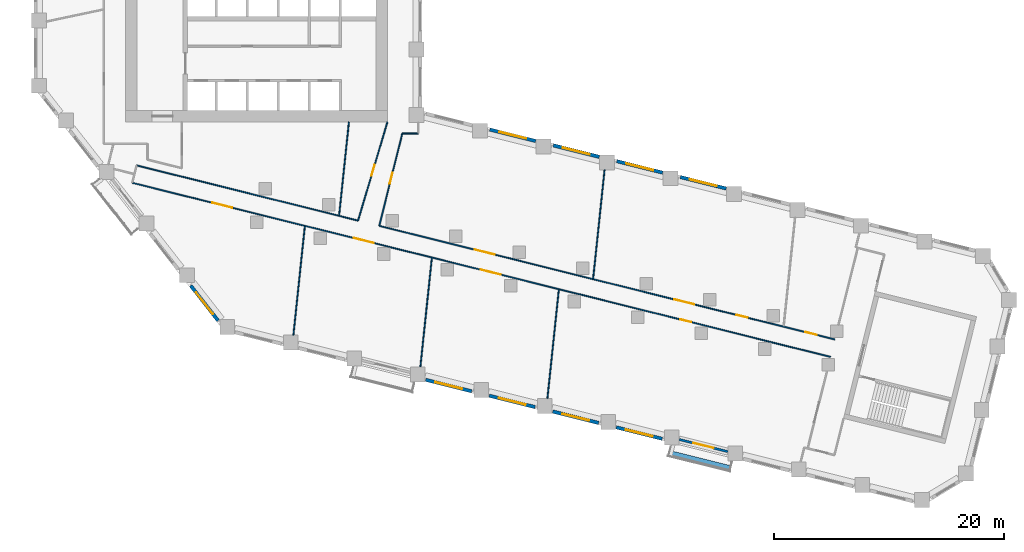
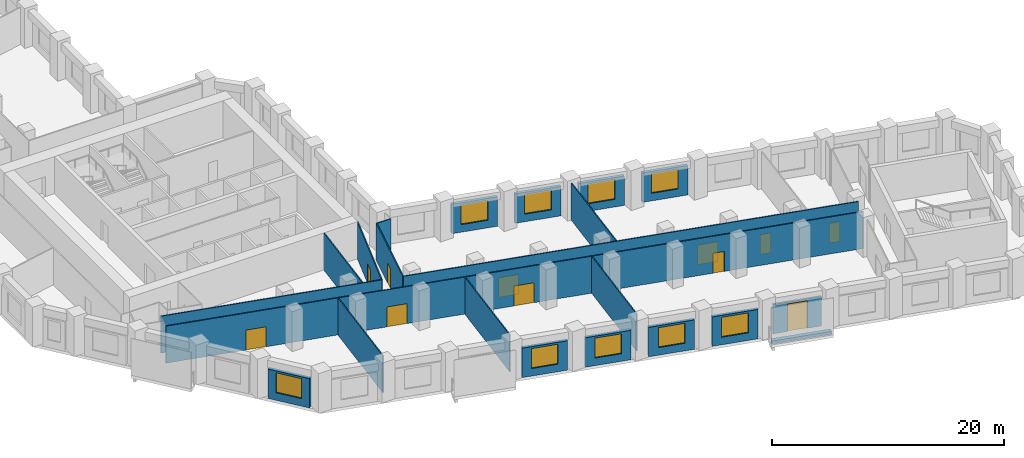
# One storey, part 3 of 11: 22 walls, 11 doors, 9 windows, 20 openings.
"""IFC4 building model written with IfcOpenShell, lengths in metres."""

from ifc_helpers import new_model, si_unit, direction, frame, frame_2d, origin, place, context, subcontext, project, spatial, rectangle, extrude, material, layer, layer_set, type_object, element, fill, save


model = new_model("IFC4")

# Units and contexts
model_context = context("Model", 3, precision=1e-05, world=origin(), true_north=direction((0.0, 1.0)))
body_context = subcontext(model_context, "Body", "Model", "MODEL_VIEW")
ifc_project = project(units=[si_unit("LENGTHUNIT", "METRE"), si_unit("AREAUNIT", "SQUARE_METRE"), si_unit("VOLUMEUNIT", "CUBIC_METRE"), si_unit("PLANEANGLEUNIT", "RADIAN"), si_unit("MASSUNIT", "GRAM", prefix="KILO")], contexts=[model_context])

# Site, building, storey
site_placement = place(None, origin())
site = spatial("IfcSite", under=ifc_project, at=site_placement, CompositionType="ELEMENT")
building_placement = place(site_placement, origin())
building = spatial("IfcBuilding", under=site, at=building_placement, Name="Meshkara Civic Tower", CompositionType="ELEMENT")
storey_placement = place(building_placement, frame((0.0, 0.0, 135.0)))
storey = spatial("IfcBuildingStorey", under=building, at=storey_placement, Name="L30", CompositionType="ELEMENT", Elevation=135.0)

# Wall, openings, doors
ifc_material_1 = material(Name="Corridor wall 100")
ifc_layer_1 = layer(ifc_material_1, 0.10009765625)
ifc_layer_set_1 = layer_set([ifc_layer_1], Name="Corridor wall 100")
wall_type_1 = type_object("IfcWallType", Name="Corridor wall 100", PredefinedType="PARTITIONING", material=ifc_layer_set_1)
wall_1_placement = place(storey_placement, frame((8.5791015625, 8.802978515625, 0.0), z_axis=(0.0, 0.0, 1.0), x_axis=(0.970298569476, -0.241910491863, 0.0)))
wall_1 = element("IfcWall", 1, at=wall_1_placement, inside=storey, type_object=wall_type_1, Name="L30-W006", PredefinedType="PARTITIONING", context=body_context, shape_type="SweptSolid", body=[
    extrude(rectangle(XDim=62.675537109375, YDim=0.10009765625, at=frame_2d((31.337890625, 0.0))), origin(), (0.0, 0.0, 1.0), 3.89990234375),
])
opening_1_placement = place(wall_1_placement, frame((49.173095703125, 0.0, 0.0)))
opening_1 = element("IfcOpeningElement", 2, at=opening_1_placement, cuts=wall_1, Name="Opening L30-D004", PredefinedType="OPENING", context=body_context, shape_type="SweptSolid", body=[
    extrude(rectangle(XDim=1.0, YDim=2.10009765625, at=frame_2d((0.5, 1.050048828125))), frame((0.0, 0.06005859375, 0.0), z_axis=(0.0, -1.0, 0.0), x_axis=(1.0, 0.0, 0.0)), (0.0, 0.0, 1.0), 0.1201171875),
])
opening_2_placement = place(wall_1_placement, frame((19.873046875, 0.0, 0.0)))
opening_2 = element("IfcOpeningElement", 3, at=opening_2_placement, cuts=wall_1, Name="Opening L30-D007", PredefinedType="OPENING", context=body_context, shape_type="SweptSolid", body=[
    extrude(rectangle(XDim=1.800048828125, YDim=2.10009765625, at=frame_2d((0.89990234375, 1.050048828125))), frame((0.0, 0.06005859375, 0.0), z_axis=(0.0, -1.0, 0.0), x_axis=(1.0, 0.0, 0.0)), (0.0, 0.0, 1.0), 0.1201171875),
])
opening_3_placement = place(wall_1_placement, frame((31.27294921875, 0.0, 0.0)))
opening_3 = element("IfcOpeningElement", 4, at=opening_3_placement, cuts=wall_1, Name="Opening L30-D009", PredefinedType="OPENING", context=body_context, shape_type="SweptSolid", body=[
    extrude(rectangle(XDim=1.800048828125, YDim=2.10009765625, at=frame_2d((0.89990234375, 1.050048828125))), frame((0.0, 0.06005859375, 0.0), z_axis=(0.0, -1.0, 0.0), x_axis=(1.0, 0.0, 0.0)), (0.0, 0.0, 1.0), 0.1201171875),
])
opening_4_placement = place(wall_1_placement, frame((7.179931640625, 0.0, 0.0)))
opening_4 = element("IfcOpeningElement", 5, at=opening_4_placement, cuts=wall_1, Name="Opening L30-D011", PredefinedType="OPENING", context=body_context, shape_type="SweptSolid", body=[
    extrude(rectangle(XDim=1.800048828125, YDim=2.10009765625, at=frame_2d((0.89990234375, 1.050048828125))), frame((0.0, 0.06005859375, 0.0), z_axis=(0.0, -1.0, 0.0), x_axis=(1.0, 0.0, 0.0)), (0.0, 0.0, 1.0), 0.1201171875),
])
ifc_material_2 = material(Name="Door 1000 x 2100")
door_type_1 = type_object("IfcDoorType", Name="Door 1000 x 2100", OperationType="SINGLE_SWING_LEFT", PredefinedType="DOOR", material=ifc_material_2)
door_1_placement = place(opening_1_placement, origin())
door_1 = element("IfcDoor", 6, at=door_1_placement, inside=storey, type_object=door_type_1, Name="L30-D004", OperationType="SINGLE_SWING_RIGHT", OverallHeight=2.10009765625, OverallWidth=1.0, PredefinedType="DOOR", context=body_context, shape_type="SweptSolid", body=[
    extrude(rectangle(XDim=1.0, YDim=2.10009765625, at=frame_2d((0.5, 1.050048828125))), frame((0.0, 0.02490234375, 0.0), z_axis=(0.0, -1.0, 0.0), x_axis=(1.0, 0.0, 0.0)), (0.0, 0.0, 1.0), 0.050048828125),
])
fill(opening_1, door_1)
ifc_material_3 = material(Name="Door pair 1800 x 2100")
door_type_2 = type_object("IfcDoorType", Name="Door pair 1800 x 2100", OperationType="SINGLE_SWING_LEFT", PredefinedType="DOOR", material=ifc_material_3)
door_2_placement = place(opening_2_placement, origin())
door_2 = element("IfcDoor", 7, at=door_2_placement, inside=storey, type_object=door_type_2, Name="L30-D007", OperationType="DOUBLE_DOOR_SINGLE_SWING", OverallHeight=2.10009765625, OverallWidth=1.800048828125, PredefinedType="DOOR", context=body_context, shape_type="SweptSolid", body=[
    extrude(rectangle(XDim=1.800048828125, YDim=2.10009765625, at=frame_2d((0.89990234375, 1.050048828125))), frame((0.0, 0.02490234375, 0.0), z_axis=(0.0, -1.0, 0.0), x_axis=(1.0, 0.0, 0.0)), (0.0, 0.0, 1.0), 0.050048828125),
])
fill(opening_2, door_2)
door_3_placement = place(opening_3_placement, origin())
door_3 = element("IfcDoor", 8, at=door_3_placement, inside=storey, type_object=door_type_2, Name="L30-D009", OperationType="DOUBLE_DOOR_SINGLE_SWING", OverallHeight=2.10009765625, OverallWidth=1.800048828125, PredefinedType="DOOR", context=body_context, shape_type="SweptSolid", body=[
    extrude(rectangle(XDim=1.800048828125, YDim=2.10009765625, at=frame_2d((0.89990234375, 1.050048828125))), frame((0.0, 0.02490234375, 0.0), z_axis=(0.0, -1.0, 0.0), x_axis=(1.0, 0.0, 0.0)), (0.0, 0.0, 1.0), 0.050048828125),
])
fill(opening_3, door_3)
door_4_placement = place(opening_4_placement, origin())
door_4 = element("IfcDoor", 9, at=door_4_placement, inside=storey, type_object=door_type_2, Name="L30-D011", OperationType="DOUBLE_DOOR_SINGLE_SWING", OverallHeight=2.10009765625, OverallWidth=1.800048828125, PredefinedType="DOOR", context=body_context, shape_type="SweptSolid", body=[
    extrude(rectangle(XDim=1.800048828125, YDim=2.10009765625, at=frame_2d((0.89990234375, 1.050048828125))), frame((0.0, 0.02490234375, 0.0), z_axis=(0.0, -1.0, 0.0), x_axis=(1.0, 0.0, 0.0)), (0.0, 0.0, 1.0), 0.050048828125),
])
fill(opening_4, door_4)

# Wall
wall_2_placement = place(storey_placement, frame((8.9580078125, 10.322998046875, 0.0), z_axis=(0.0, 0.0, 1.0), x_axis=(0.970298340477, -0.241911410372, 0.0)))
element("IfcWall", 10, at=wall_2_placement, inside=storey, type_object=wall_type_1, Name="L30-W007", PredefinedType="PARTITIONING", context=body_context, shape_type="SweptSolid", body=[
    extrude(rectangle(XDim=19.879638671875, YDim=0.10009765625, at=frame_2d((9.93994140625, 0.0))), origin(), (0.0, 0.0, 1.0), 3.89990234375),
])

# Wall, openings, doors
wall_3_placement = place(storey_placement, frame((30.091064453125, 5.053955078125, 0.0), z_axis=(0.0, 0.0, 1.0), x_axis=(0.970297171036, -0.24191610091, 0.0)))
wall_3 = element("IfcWall", 11, at=wall_3_placement, inside=storey, type_object=wall_type_1, Name="L30-W020", PredefinedType="PARTITIONING", context=body_context, shape_type="SweptSolid", body=[
    extrude(rectangle(XDim=40.89453125, YDim=0.10009765625, at=frame_2d((20.447265625, 0.0))), origin(), (0.0, 0.0, 1.0), 3.89990234375),
])
opening_5_placement = place(wall_3_placement, frame((26.462890625, 0.0, 0.0)))
opening_5 = element("IfcOpeningElement", 12, at=opening_5_placement, cuts=wall_3, Name="Opening L30-D003", PredefinedType="OPENING", context=body_context, shape_type="SweptSolid", body=[
    extrude(rectangle(XDim=1.800048828125, YDim=2.10009765625, at=frame_2d((0.89990234375, 1.050048828125))), frame((0.0, 0.06005859375, 0.0), z_axis=(0.0, -1.0, 0.0), x_axis=(1.0, 0.0, 0.0)), (0.0, 0.0, 1.0), 0.1201171875),
])
opening_6_placement = place(wall_3_placement, frame((32.06298828125, 0.0, 0.0)))
opening_6 = element("IfcOpeningElement", 13, at=opening_6_placement, cuts=wall_3, Name="Opening L30-D005", PredefinedType="OPENING", context=body_context, shape_type="SweptSolid", body=[
    extrude(rectangle(XDim=1.0, YDim=2.10009765625, at=frame_2d((0.5, 1.050048828125))), frame((0.0, 0.06005859375, 0.0), z_axis=(0.0, -1.0, 0.0), x_axis=(1.0, 0.0, 0.0)), (0.0, 0.0, 1.0), 0.1201171875),
])
opening_7_placement = place(wall_3_placement, frame((38.262939453125, 0.0, 0.0)))
opening_7 = element("IfcOpeningElement", 14, at=opening_7_placement, cuts=wall_3, Name="Opening L30-D006", PredefinedType="OPENING", context=body_context, shape_type="SweptSolid", body=[
    extrude(rectangle(XDim=1.0, YDim=2.10009765625, at=frame_2d((0.5, 1.050048828125))), frame((0.0, 0.06005859375, 0.0), z_axis=(0.0, -1.0, 0.0), x_axis=(1.0, 0.0, 0.0)), (0.0, 0.0, 1.0), 0.1201171875),
])
opening_8_placement = place(wall_3_placement, frame((8.580078125, 0.0, 0.0)))
opening_8 = element("IfcOpeningElement", 15, at=opening_8_placement, cuts=wall_3, Name="Opening L30-D008", PredefinedType="OPENING", context=body_context, shape_type="SweptSolid", body=[
    extrude(rectangle(XDim=1.800048828125, YDim=2.10009765625, at=frame_2d((0.89990234375, 1.050048828125))), frame((0.0, 0.06005859375, 0.0), z_axis=(0.0, -1.0, 0.0), x_axis=(1.0, 0.0, 0.0)), (0.0, 0.0, 1.0), 0.1201171875),
])
door_5_placement = place(opening_6_placement, origin())
door_5 = element("IfcDoor", 16, at=door_5_placement, inside=storey, type_object=door_type_1, Name="L30-D005", OperationType="SINGLE_SWING_RIGHT", OverallHeight=2.10009765625, OverallWidth=1.0, PredefinedType="DOOR", context=body_context, shape_type="SweptSolid", body=[
    extrude(rectangle(XDim=1.0, YDim=2.10009765625, at=frame_2d((0.5, 1.050048828125))), frame((0.0, 0.02490234375, 0.0), z_axis=(0.0, -1.0, 0.0), x_axis=(1.0, 0.0, 0.0)), (0.0, 0.0, 1.0), 0.050048828125),
])
fill(opening_6, door_5)
door_6_placement = place(opening_7_placement, origin())
door_6 = element("IfcDoor", 17, at=door_6_placement, inside=storey, type_object=door_type_1, Name="L30-D006", OperationType="SINGLE_SWING_RIGHT", OverallHeight=2.10009765625, OverallWidth=1.0, PredefinedType="DOOR", context=body_context, shape_type="SweptSolid", body=[
    extrude(rectangle(XDim=1.0, YDim=2.10009765625, at=frame_2d((0.5, 1.050048828125))), frame((0.0, 0.02490234375, 0.0), z_axis=(0.0, -1.0, 0.0), x_axis=(1.0, 0.0, 0.0)), (0.0, 0.0, 1.0), 0.050048828125),
])
fill(opening_7, door_6)
door_7_placement = place(opening_5_placement, origin())
door_7 = element("IfcDoor", 18, at=door_7_placement, inside=storey, type_object=door_type_2, Name="L30-D003", OperationType="DOUBLE_DOOR_SINGLE_SWING", OverallHeight=2.10009765625, OverallWidth=1.800048828125, PredefinedType="DOOR", context=body_context, shape_type="SweptSolid", body=[
    extrude(rectangle(XDim=1.800048828125, YDim=2.10009765625, at=frame_2d((0.89990234375, 1.050048828125))), frame((0.0, 0.02490234375, 0.0), z_axis=(0.0, -1.0, 0.0), x_axis=(1.0, 0.0, 0.0)), (0.0, 0.0, 1.0), 0.050048828125),
])
fill(opening_5, door_7)
door_8_placement = place(opening_8_placement, origin())
door_8 = element("IfcDoor", 19, at=door_8_placement, inside=storey, type_object=door_type_2, Name="L30-D008", OperationType="DOUBLE_DOOR_SINGLE_SWING", OverallHeight=2.10009765625, OverallWidth=1.800048828125, PredefinedType="DOOR", context=body_context, shape_type="SweptSolid", body=[
    extrude(rectangle(XDim=1.800048828125, YDim=2.10009765625, at=frame_2d((0.89990234375, 1.050048828125))), frame((0.0, 0.02490234375, 0.0), z_axis=(0.0, -1.0, 0.0), x_axis=(1.0, 0.0, 0.0)), (0.0, 0.0, 1.0), 0.050048828125),
])
fill(opening_8, door_8)

# Wall, opening, door
wall_4_placement = place(storey_placement, frame((30.091064453125, 5.053955078125, 0.0), z_axis=(0.0, 0.0, 1.0), x_axis=(0.241891322374, 0.970303348526, 0.0)))
wall_4 = element("IfcWall", 20, at=wall_4_placement, inside=storey, type_object=wall_type_1, Name="L30-W021", PredefinedType="PARTITIONING", context=body_context, shape_type="SweptSolid", body=[
    extrude(rectangle(XDim=8.29248046875, YDim=0.10009765625, at=frame_2d((4.146240234375, 0.0))), origin(), (0.0, 0.0, 1.0), 3.89990234375),
])
opening_9_placement = place(wall_4_placement, frame((3.780029296875, 0.0, 0.0)))
opening_9 = element("IfcOpeningElement", 21, at=opening_9_placement, cuts=wall_4, Name="Opening L30-D013", PredefinedType="OPENING", context=body_context, shape_type="SweptSolid", body=[
    extrude(rectangle(XDim=1.0, YDim=2.10009765625, at=frame_2d((0.5, 1.050048828125))), frame((0.0, 0.06005859375, 0.0), z_axis=(0.0, -1.0, 0.0), x_axis=(1.0, 0.0, 0.0)), (0.0, 0.0, 1.0), 0.1201171875),
])
door_9_placement = place(opening_9_placement, origin())
door_9 = element("IfcDoor", 22, at=door_9_placement, inside=storey, type_object=door_type_1, Name="L30-D013", OperationType="SINGLE_SWING_LEFT", OverallHeight=2.10009765625, OverallWidth=1.0, PredefinedType="DOOR", context=body_context, shape_type="SweptSolid", body=[
    extrude(rectangle(XDim=1.0, YDim=2.10009765625, at=frame_2d((0.5, 1.050048828125))), frame((0.0, 0.02490234375, 0.0), z_axis=(0.0, -1.0, 0.0), x_axis=(1.0, 0.0, 0.0)), (0.0, 0.0, 1.0), 0.050048828125),
])
fill(opening_9, door_9)

wall_5_placement = place(storey_placement, frame((30.800048828125, 14.10009765625, 0.0), z_axis=(0.0, 0.0, 1.0), x_axis=(-0.285004107837, -0.958526295162, 0.0)))
wall_5 = element("IfcWall", 23, at=wall_5_placement, inside=storey, type_object=wall_type_1, Name="L30-W022", PredefinedType="PARTITIONING", context=body_context, shape_type="SweptSolid", body=[
    extrude(rectangle(XDim=8.957763671875, YDim=0.10009765625, at=frame_2d((4.47900390625, 0.0))), origin(), (0.0, 0.0, 1.0), 3.89990234375),
])
opening_10_placement = place(wall_5_placement, frame((3.8798828125, 0.0, 0.0)))
opening_10 = element("IfcOpeningElement", 24, at=opening_10_placement, cuts=wall_5, Name="Opening L30-D012", PredefinedType="OPENING", context=body_context, shape_type="SweptSolid", body=[
    extrude(rectangle(XDim=1.0, YDim=2.10009765625, at=frame_2d((0.5, 1.050048828125))), frame((0.0, 0.06005859375, 0.0), z_axis=(0.0, -1.0, 0.0), x_axis=(1.0, 0.0, 0.0)), (0.0, 0.0, 1.0), 0.1201171875),
])
door_10_placement = place(opening_10_placement, origin())
door_10 = element("IfcDoor", 25, at=door_10_placement, inside=storey, type_object=door_type_1, Name="L30-D012", OperationType="SINGLE_SWING_RIGHT", OverallHeight=2.10009765625, OverallWidth=1.0, PredefinedType="DOOR", context=body_context, shape_type="SweptSolid", body=[
    extrude(rectangle(XDim=1.0, YDim=2.10009765625, at=frame_2d((0.5, 1.050048828125))), frame((0.0, 0.02490234375, 0.0), z_axis=(0.0, -1.0, 0.0), x_axis=(1.0, 0.0, 0.0)), (0.0, 0.0, 1.0), 0.050048828125),
])
fill(opening_10, door_10)

# Wall
wall_6_placement = place(storey_placement, frame((32.096923828125, 13.10009765625, 0.0), z_axis=(0.0, 0.0, 1.0), x_axis=(1.0, 0.0, 0.0)))
element("IfcWall", 26, at=wall_6_placement, inside=storey, type_object=wall_type_1, Name="L30-W023", PredefinedType="PARTITIONING", context=body_context, shape_type="SweptSolid", body=[
    extrude(rectangle(XDim=1.403076171875, YDim=0.10009765625, at=frame_2d((0.70166015625, 0.0))), origin(), (0.0, 0.0, 1.0), 3.89990234375),
])

# Wall, opening, window
ifc_material_4 = material(Name="Insulated infill panel with bronze anodised aluminium cladding", Category="aluminium")
ifc_layer_2 = layer(ifc_material_4, 0.300048828125)
ifc_layer_set_2 = layer_set([ifc_layer_2], Name="EXTERNAL INFILL WALL 300")
wall_type_2 = type_object("IfcWallType", Name="EXTERNAL INFILL WALL 300", PredefinedType="SOLIDWALL", material=ifc_layer_set_2)
wall_7_placement = place(storey_placement, frame((60.31103515625, 8.305908203125, 0.0), z_axis=(0.0, 0.0, 1.0), x_axis=(-0.970267747908, 0.242034083076, 0.0)))
wall_7 = element("IfcWall", 27, at=wall_7_placement, inside=storey, type_object=wall_type_2, Name="External wall", PredefinedType="SOLIDWALL", context=body_context, shape_type="SweptSolid", body=[
    extrude(rectangle(XDim=4.12353515625, YDim=0.300048828125, at=frame_2d((2.061767578125, 0.0))), origin(), (0.0, 0.0, 1.0), 3.10009765625),
])
opening_11_placement = place(wall_7_placement, frame((0.862060546875, 0.0, 0.800048828125)))
opening_11 = element("IfcOpeningElement", 28, at=opening_11_placement, cuts=wall_7, Name="Opening W7", PredefinedType="OPENING", context=body_context, shape_type="SweptSolid", body=[
    extrude(rectangle(XDim=2.39990234375, YDim=2.10009765625, at=frame_2d((1.199951171875, 1.050048828125))), frame((0.0, 0.159912109375, 0.0), z_axis=(0.0, -1.0, 0.0), x_axis=(1.0, 0.0, 0.0)), (0.0, 0.0, 1.0), 0.320068359375),
])
ifc_material_5 = material(Name="Tinted double glazing", Category="glass")
window_type = type_object("IfcWindowType", Name="WINDOW 2400x2100", PartitioningType="DOUBLE_PANEL_VERTICAL", PredefinedType="WINDOW", material=ifc_material_5)
window_1_placement = place(opening_11_placement, origin())
window_1 = element("IfcWindow", 29, at=window_1_placement, inside=storey, type_object=window_type, Name="Window", OverallHeight=2.10009765625, OverallWidth=2.39990234375, PartitioningType="DOUBLE_PANEL_VERTICAL", PredefinedType="WINDOW", context=body_context, shape_type="SweptSolid", body=[
    extrude(rectangle(XDim=2.39990234375, YDim=2.10009765625, at=frame_2d((1.199951171875, 1.050048828125))), frame((0.0, 0.030029296875, 0.0), z_axis=(0.0, -1.0, 0.0), x_axis=(1.0, 0.0, 0.0)), (0.0, 0.0, 1.0), 0.06005859375),
])
fill(opening_11, window_1)

wall_8_placement = place(storey_placement, frame((54.781005859375, 9.68505859375, 0.0), z_axis=(0.0, 0.0, 1.0), x_axis=(-0.970281616392, 0.241978480223, 0.0)))
wall_8 = element("IfcWall", 30, at=wall_8_placement, inside=storey, type_object=wall_type_2, Name="External wall", PredefinedType="SOLIDWALL", context=body_context, shape_type="SweptSolid", body=[
    extrude(rectangle(XDim=4.12451171875, YDim=0.300048828125, at=frame_2d((2.062255859375, 0.0))), origin(), (0.0, 0.0, 1.0), 3.10009765625),
])
opening_12_placement = place(wall_8_placement, frame((0.862060546875, 0.0, 0.800048828125)))
opening_12 = element("IfcOpeningElement", 31, at=opening_12_placement, cuts=wall_8, Name="Opening W7", PredefinedType="OPENING", context=body_context, shape_type="SweptSolid", body=[
    extrude(rectangle(XDim=2.39990234375, YDim=2.10009765625, at=frame_2d((1.199951171875, 1.050048828125))), frame((0.0, 0.159912109375, 0.0), z_axis=(0.0, -1.0, 0.0), x_axis=(1.0, 0.0, 0.0)), (0.0, 0.0, 1.0), 0.320068359375),
])
window_2_placement = place(opening_12_placement, origin())
window_2 = element("IfcWindow", 32, at=window_2_placement, inside=storey, type_object=window_type, Name="Window", OverallHeight=2.10009765625, OverallWidth=2.39990234375, PartitioningType="DOUBLE_PANEL_VERTICAL", PredefinedType="WINDOW", context=body_context, shape_type="SweptSolid", body=[
    extrude(rectangle(XDim=2.39990234375, YDim=2.10009765625, at=frame_2d((1.199951171875, 1.050048828125))), frame((0.0, 0.030029296875, 0.0), z_axis=(0.0, -1.0, 0.0), x_axis=(1.0, 0.0, 0.0)), (0.0, 0.0, 1.0), 0.06005859375),
])
fill(opening_12, window_2)

wall_9_placement = place(storey_placement, frame((49.25, 11.06396484375, 0.0), z_axis=(0.0, 0.0, 1.0), x_axis=(-0.970281616392, 0.241978480223, 0.0)))
wall_9 = element("IfcWall", 33, at=wall_9_placement, inside=storey, type_object=wall_type_2, Name="External wall", PredefinedType="SOLIDWALL", context=body_context, shape_type="SweptSolid", body=[
    extrude(rectangle(XDim=4.12451171875, YDim=0.300048828125, at=frame_2d((2.062255859375, 0.0))), origin(), (0.0, 0.0, 1.0), 3.10009765625),
])
opening_13_placement = place(wall_9_placement, frame((0.862060546875, 0.0, 0.800048828125)))
opening_13 = element("IfcOpeningElement", 34, at=opening_13_placement, cuts=wall_9, Name="Opening W7", PredefinedType="OPENING", context=body_context, shape_type="SweptSolid", body=[
    extrude(rectangle(XDim=2.39990234375, YDim=2.10009765625, at=frame_2d((1.199951171875, 1.050048828125))), frame((0.0, 0.159912109375, 0.0), z_axis=(0.0, -1.0, 0.0), x_axis=(1.0, 0.0, 0.0)), (0.0, 0.0, 1.0), 0.320068359375),
])
window_3_placement = place(opening_13_placement, origin())
window_3 = element("IfcWindow", 35, at=window_3_placement, inside=storey, type_object=window_type, Name="Window", OverallHeight=2.10009765625, OverallWidth=2.39990234375, PartitioningType="DOUBLE_PANEL_VERTICAL", PredefinedType="WINDOW", context=body_context, shape_type="SweptSolid", body=[
    extrude(rectangle(XDim=2.39990234375, YDim=2.10009765625, at=frame_2d((1.199951171875, 1.050048828125))), frame((0.0, 0.030029296875, 0.0), z_axis=(0.0, -1.0, 0.0), x_axis=(1.0, 0.0, 0.0)), (0.0, 0.0, 1.0), 0.06005859375),
])
fill(opening_13, window_3)

wall_10_placement = place(storey_placement, frame((43.718994140625, 12.443115234375, 0.0), z_axis=(0.0, 0.0, 1.0), x_axis=(-0.970281650314, 0.241978344205, 0.0)))
wall_10 = element("IfcWall", 36, at=wall_10_placement, inside=storey, type_object=wall_type_2, Name="External wall", PredefinedType="SOLIDWALL", context=body_context, shape_type="SweptSolid", body=[
    extrude(rectangle(XDim=4.12353515625, YDim=0.300048828125, at=frame_2d((2.061767578125, 0.0))), origin(), (0.0, 0.0, 1.0), 3.10009765625),
])
opening_14_placement = place(wall_10_placement, frame((0.862060546875, 0.0, 0.800048828125)))
opening_14 = element("IfcOpeningElement", 37, at=opening_14_placement, cuts=wall_10, Name="Opening W7", PredefinedType="OPENING", context=body_context, shape_type="SweptSolid", body=[
    extrude(rectangle(XDim=2.39990234375, YDim=2.10009765625, at=frame_2d((1.199951171875, 1.050048828125))), frame((0.0, 0.159912109375, 0.0), z_axis=(0.0, -1.0, 0.0), x_axis=(1.0, 0.0, 0.0)), (0.0, 0.0, 1.0), 0.320068359375),
])
window_4_placement = place(opening_14_placement, origin())
window_4 = element("IfcWindow", 38, at=window_4_placement, inside=storey, type_object=window_type, Name="Window", OverallHeight=2.10009765625, OverallWidth=2.39990234375, PartitioningType="DOUBLE_PANEL_VERTICAL", PredefinedType="WINDOW", context=body_context, shape_type="SweptSolid", body=[
    extrude(rectangle(XDim=2.39990234375, YDim=2.10009765625, at=frame_2d((1.199951171875, 1.050048828125))), frame((0.0, 0.030029296875, 0.0), z_axis=(0.0, -1.0, 0.0), x_axis=(1.0, 0.0, 0.0)), (0.0, 0.0, 1.0), 0.06005859375),
])
fill(opening_14, window_4)

wall_11_placement = place(storey_placement, frame((13.6669921875, -0.14990234375, 0.0), z_axis=(0.0, 0.0, 1.0), x_axis=(0.615626928003, -0.788037743714, 0.0)))
wall_11 = element("IfcWall", 39, at=wall_11_placement, inside=storey, type_object=wall_type_2, Name="External wall", PredefinedType="SOLIDWALL", context=body_context, shape_type="SweptSolid", body=[
    extrude(rectangle(XDim=3.875732421875, YDim=0.300048828125, at=frame_2d((1.93798828125, 0.0))), origin(), (0.0, 0.0, 1.0), 3.10009765625),
])
opening_15_placement = place(wall_11_placement, frame((0.738037109375, 0.0, 0.800048828125)))
opening_15 = element("IfcOpeningElement", 40, at=opening_15_placement, cuts=wall_11, Name="Opening W7", PredefinedType="OPENING", context=body_context, shape_type="SweptSolid", body=[
    extrude(rectangle(XDim=2.39990234375, YDim=2.10009765625, at=frame_2d((1.199951171875, 1.050048828125))), frame((0.0, 0.159912109375, 0.0), z_axis=(0.0, -1.0, 0.0), x_axis=(1.0, 0.0, 0.0)), (0.0, 0.0, 1.0), 0.320068359375),
])
window_5_placement = place(opening_15_placement, origin())
window_5 = element("IfcWindow", 41, at=window_5_placement, inside=storey, type_object=window_type, Name="Window", OverallHeight=2.10009765625, OverallWidth=2.39990234375, PartitioningType="DOUBLE_PANEL_VERTICAL", PredefinedType="WINDOW", context=body_context, shape_type="SweptSolid", body=[
    extrude(rectangle(XDim=2.39990234375, YDim=2.10009765625, at=frame_2d((1.199951171875, 1.050048828125))), frame((0.0, 0.030029296875, 0.0), z_axis=(0.0, -1.0, 0.0), x_axis=(1.0, 0.0, 0.0)), (0.0, 0.0, 1.0), 0.06005859375),
])
fill(opening_15, window_5)

wall_12_placement = place(storey_placement, frame((34.135009765625, -8.35595703125, 0.0), z_axis=(0.0, 0.0, 1.0), x_axis=(0.970281616392, -0.241978480223, 0.0)))
wall_12 = element("IfcWall", 42, at=wall_12_placement, inside=storey, type_object=wall_type_2, Name="External wall", PredefinedType="SOLIDWALL", context=body_context, shape_type="SweptSolid", body=[
    extrude(rectangle(XDim=4.12451171875, YDim=0.300048828125, at=frame_2d((2.062255859375, 0.0))), origin(), (0.0, 0.0, 1.0), 3.10009765625),
])
opening_16_placement = place(wall_12_placement, frame((0.862060546875, 0.0, 0.800048828125)))
opening_16 = element("IfcOpeningElement", 43, at=opening_16_placement, cuts=wall_12, Name="Opening W7", PredefinedType="OPENING", context=body_context, shape_type="SweptSolid", body=[
    extrude(rectangle(XDim=2.39990234375, YDim=2.10009765625, at=frame_2d((1.199951171875, 1.050048828125))), frame((0.0, 0.159912109375, 0.0), z_axis=(0.0, -1.0, 0.0), x_axis=(1.0, 0.0, 0.0)), (0.0, 0.0, 1.0), 0.320068359375),
])
window_6_placement = place(opening_16_placement, origin())
window_6 = element("IfcWindow", 44, at=window_6_placement, inside=storey, type_object=window_type, Name="Window", OverallHeight=2.10009765625, OverallWidth=2.39990234375, PartitioningType="DOUBLE_PANEL_VERTICAL", PredefinedType="WINDOW", context=body_context, shape_type="SweptSolid", body=[
    extrude(rectangle(XDim=2.39990234375, YDim=2.10009765625, at=frame_2d((1.199951171875, 1.050048828125))), frame((0.0, 0.030029296875, 0.0), z_axis=(0.0, -1.0, 0.0), x_axis=(1.0, 0.0, 0.0)), (0.0, 0.0, 1.0), 0.06005859375),
])
fill(opening_16, window_6)

wall_13_placement = place(storey_placement, frame((39.666015625, -9.735107421875, 0.0), z_axis=(0.0, 0.0, 1.0), x_axis=(0.97029551261, -0.241922752565, 0.0)))
wall_13 = element("IfcWall", 45, at=wall_13_placement, inside=storey, type_object=wall_type_2, Name="External wall", PredefinedType="SOLIDWALL", context=body_context, shape_type="SweptSolid", body=[
    extrude(rectangle(XDim=4.12451171875, YDim=0.300048828125, at=frame_2d((2.062255859375, 0.0))), origin(), (0.0, 0.0, 1.0), 3.10009765625),
])
opening_17_placement = place(wall_13_placement, frame((0.862060546875, 0.0, 0.800048828125)))
opening_17 = element("IfcOpeningElement", 46, at=opening_17_placement, cuts=wall_13, Name="Opening W7", PredefinedType="OPENING", context=body_context, shape_type="SweptSolid", body=[
    extrude(rectangle(XDim=2.39990234375, YDim=2.10009765625, at=frame_2d((1.199951171875, 1.050048828125))), frame((0.0, 0.159912109375, 0.0), z_axis=(0.0, -1.0, 0.0), x_axis=(1.0, 0.0, 0.0)), (0.0, 0.0, 1.0), 0.320068359375),
])
window_7_placement = place(opening_17_placement, origin())
window_7 = element("IfcWindow", 47, at=window_7_placement, inside=storey, type_object=window_type, Name="Window", OverallHeight=2.10009765625, OverallWidth=2.39990234375, PartitioningType="DOUBLE_PANEL_VERTICAL", PredefinedType="WINDOW", context=body_context, shape_type="SweptSolid", body=[
    extrude(rectangle(XDim=2.39990234375, YDim=2.10009765625, at=frame_2d((1.199951171875, 1.050048828125))), frame((0.0, 0.030029296875, 0.0), z_axis=(0.0, -1.0, 0.0), x_axis=(1.0, 0.0, 0.0)), (0.0, 0.0, 1.0), 0.06005859375),
])
fill(opening_17, window_7)

wall_14_placement = place(storey_placement, frame((45.197021484375, -11.114013671875, 0.0), z_axis=(0.0, 0.0, 1.0), x_axis=(0.970267747908, -0.242034083076, 0.0)))
wall_14 = element("IfcWall", 48, at=wall_14_placement, inside=storey, type_object=wall_type_2, Name="External wall", PredefinedType="SOLIDWALL", context=body_context, shape_type="SweptSolid", body=[
    extrude(rectangle(XDim=4.12353515625, YDim=0.300048828125, at=frame_2d((2.061767578125, 0.0))), origin(), (0.0, 0.0, 1.0), 3.10009765625),
])
opening_18_placement = place(wall_14_placement, frame((0.862060546875, 0.0, 0.800048828125)))
opening_18 = element("IfcOpeningElement", 49, at=opening_18_placement, cuts=wall_14, Name="Opening W7", PredefinedType="OPENING", context=body_context, shape_type="SweptSolid", body=[
    extrude(rectangle(XDim=2.39990234375, YDim=2.10009765625, at=frame_2d((1.199951171875, 1.050048828125))), frame((0.0, 0.159912109375, 0.0), z_axis=(0.0, -1.0, 0.0), x_axis=(1.0, 0.0, 0.0)), (0.0, 0.0, 1.0), 0.320068359375),
])
window_8_placement = place(opening_18_placement, origin())
window_8 = element("IfcWindow", 50, at=window_8_placement, inside=storey, type_object=window_type, Name="Window", OverallHeight=2.10009765625, OverallWidth=2.39990234375, PartitioningType="DOUBLE_PANEL_VERTICAL", PredefinedType="WINDOW", context=body_context, shape_type="SweptSolid", body=[
    extrude(rectangle(XDim=2.39990234375, YDim=2.10009765625, at=frame_2d((1.199951171875, 1.050048828125))), frame((0.0, 0.030029296875, 0.0), z_axis=(0.0, -1.0, 0.0), x_axis=(1.0, 0.0, 0.0)), (0.0, 0.0, 1.0), 0.06005859375),
])
fill(opening_18, window_8)

wall_15_placement = place(storey_placement, frame((50.72705078125, -12.492919921875, 0.0), z_axis=(0.0, 0.0, 1.0), x_axis=(0.970281616392, -0.241978480223, 0.0)))
wall_15 = element("IfcWall", 51, at=wall_15_placement, inside=storey, type_object=wall_type_2, Name="External wall", PredefinedType="SOLIDWALL", context=body_context, shape_type="SweptSolid", body=[
    extrude(rectangle(XDim=4.12451171875, YDim=0.300048828125, at=frame_2d((2.062255859375, 0.0))), origin(), (0.0, 0.0, 1.0), 3.10009765625),
])
opening_19_placement = place(wall_15_placement, frame((0.862060546875, 0.0, 0.800048828125)))
opening_19 = element("IfcOpeningElement", 52, at=opening_19_placement, cuts=wall_15, Name="Opening W7", PredefinedType="OPENING", context=body_context, shape_type="SweptSolid", body=[
    extrude(rectangle(XDim=2.39990234375, YDim=2.10009765625, at=frame_2d((1.199951171875, 1.050048828125))), frame((0.0, 0.159912109375, 0.0), z_axis=(0.0, -1.0, 0.0), x_axis=(1.0, 0.0, 0.0)), (0.0, 0.0, 1.0), 0.320068359375),
])
window_9_placement = place(opening_19_placement, origin())
window_9 = element("IfcWindow", 53, at=window_9_placement, inside=storey, type_object=window_type, Name="Window", OverallHeight=2.10009765625, OverallWidth=2.39990234375, PartitioningType="DOUBLE_PANEL_VERTICAL", PredefinedType="WINDOW", context=body_context, shape_type="SweptSolid", body=[
    extrude(rectangle(XDim=2.39990234375, YDim=2.10009765625, at=frame_2d((1.199951171875, 1.050048828125))), frame((0.0, 0.030029296875, 0.0), z_axis=(0.0, -1.0, 0.0), x_axis=(1.0, 0.0, 0.0)), (0.0, 0.0, 1.0), 0.06005859375),
])
fill(opening_19, window_9)

# Wall, opening, door
ifc_material_6 = material(Name="Insulated infill panel with bronze anodised aluminium cladding", Category="aluminium")
ifc_layer_3 = layer(ifc_material_6, 0.199951171875)
ifc_layer_set_3 = layer_set([ifc_layer_3], Name="LOGGIA BACK WALL 200")
wall_type_3 = type_object("IfcWallType", Name="LOGGIA BACK WALL 200", PredefinedType="SOLIDWALL", material=ifc_layer_set_3)
wall_16_placement = place(storey_placement, frame((56.216064453125, -13.552001953125, 0.0), z_axis=(0.0, 0.0, 1.0), x_axis=(0.970293811216, -0.241929576357, 0.0)))
wall_16 = element("IfcWall", 54, at=wall_16_placement, inside=storey, type_object=wall_type_3, Name="Loggia wall", PredefinedType="SOLIDWALL", context=body_context, shape_type="SweptSolid", body=[
    extrude(rectangle(XDim=4.360595703125, YDim=0.199951171875, at=frame_2d((2.18017578125, 0.0))), origin(), (0.0, 0.0, 1.0), 3.10009765625),
])
opening_20_placement = place(wall_16_placement, frame((1.280029296875, 0.0, 0.0)))
opening_20 = element("IfcOpeningElement", 55, at=opening_20_placement, cuts=wall_16, Name="Opening L30-L005", PredefinedType="OPENING", context=body_context, shape_type="SweptSolid", body=[
    extrude(rectangle(XDim=1.800048828125, YDim=2.89990234375, at=frame_2d((0.89990234375, 1.449951171875))), frame((0.0, 0.10986328125, 0.0), z_axis=(0.0, -1.0, 0.0), x_axis=(1.0, 0.0, 0.0)), (0.0, 0.0, 1.0), 0.219970703125),
])
ifc_material_7 = material(Name="Tinted double glazing", Category="glass")
door_type_3 = type_object("IfcDoorType", Name="LOGGIA DOOR 1800x2900", OperationType="DOUBLE_DOOR_SINGLE_SWING", PredefinedType="DOOR", material=ifc_material_7)
door_11_placement = place(opening_20_placement, origin())
door_11 = element("IfcDoor", 56, at=door_11_placement, inside=storey, type_object=door_type_3, Name="L30-L005", OperationType="DOUBLE_DOOR_SINGLE_SWING", OverallHeight=2.89990234375, OverallWidth=1.800048828125, PredefinedType="DOOR", context=body_context, shape_type="SweptSolid", body=[
    extrude(rectangle(XDim=1.800048828125, YDim=2.89990234375, at=frame_2d((0.89990234375, 1.449951171875))), frame((0.0, 0.02490234375, 0.0), z_axis=(0.0, -1.0, 0.0), x_axis=(1.0, 0.0, 0.0)), (0.0, 0.0, 1.0), 0.050048828125),
])
fill(opening_20, door_11)

# Walls
ifc_material_8 = material(Name="Concrete C40", Category="concrete")
ifc_layer_4 = layer(ifc_material_8, 0.39990234375)
ifc_layer_set_4 = layer_set([ifc_layer_4], Name="PLANTER TRAY")
wall_type_4 = type_object("IfcWallType", Name="PLANTER TRAY", PredefinedType="SOLIDWALL", material=ifc_layer_set_4)
wall_17_placement = place(storey_placement, frame((55.408935546875, -14.721923828125, 0.0), z_axis=(0.0, 0.0, 1.0), x_axis=(0.970324412772, -0.241806811275, 0.0)))
element("IfcWall", 57, at=wall_17_placement, inside=storey, type_object=wall_type_4, Name="Planter", PredefinedType="SOLIDWALL", context=body_context, shape_type="SweptSolid", body=[
    extrude(rectangle(XDim=5.3603515625, YDim=0.39990234375, at=frame_2d((2.68017578125, 0.0))), origin(), (0.0, 0.0, 1.0), 0.300048828125),
])
ifc_material_9 = material(Name="Partition 100")
ifc_layer_5 = layer(ifc_material_9, 0.10009765625)
ifc_layer_set_5 = layer_set([ifc_layer_5], Name="Partition 100")
wall_type_5 = type_object("IfcWallType", Name="Partition 100", PredefinedType="PARTITIONING", material=ifc_layer_set_5)
wall_18_placement = place(storey_placement, frame((22.611083984375, -4.467041015625, 0.0), z_axis=(0.0, 0.0, 1.0), x_axis=(0.104533890456, 0.994521324933, 0.0)))
element("IfcWall", 58, at=wall_18_placement, inside=storey, type_object=wall_type_5, Name="L30-W044", PredefinedType="PARTITIONING", context=body_context, shape_type="SweptSolid", body=[
    extrude(rectangle(XDim=9.517333984375, YDim=0.10009765625, at=frame_2d((4.7587890625, 0.0))), origin(), (0.0, 0.0, 1.0), 3.89990234375),
])
wall_19_placement = place(storey_placement, frame((26.595947265625, 5.98388671875, 0.0), z_axis=(0.0, 0.0, 1.0), x_axis=(0.104525942371, 0.994522160322, 0.0)))
element("IfcWall", 59, at=wall_19_placement, inside=storey, type_object=wall_type_5, Name="L30-W045", PredefinedType="PARTITIONING", context=body_context, shape_type="SweptSolid", body=[
    extrude(rectangle(XDim=8.160888671875, YDim=0.10009765625, at=frame_2d((4.08056640625, 0.0))), origin(), (0.0, 0.0, 1.0), 3.89990234375),
])
wall_20_placement = place(storey_placement, frame((33.672119140625, -7.22509765625, 0.0), z_axis=(0.0, 0.0, 1.0), x_axis=(0.104533890456, 0.994521324933, 0.0)))
element("IfcWall", 60, at=wall_20_placement, inside=storey, type_object=wall_type_5, Name="L30-W046", PredefinedType="PARTITIONING", context=body_context, shape_type="SweptSolid", body=[
    extrude(rectangle(XDim=9.517333984375, YDim=0.10009765625, at=frame_2d((4.7587890625, 0.0))), origin(), (0.0, 0.0, 1.0), 3.89990234375),
])
for number, where, z_axis, x_axis, name in (
    (61, (44.73388671875, -9.98193359375, 0.0), (0.0, 0.0, 1.0), (0.104572601702, 0.994517255242, 0.0), "L30-W047"),
    (62, (48.718994140625, 0.468017578125, 0.0), (0.0, 0.0, 1.0), (0.104572601702, 0.994517255242, 0.0), "L30-W048"),
):
    element("IfcWall", number, at=place(storey_placement, frame(where, z_axis=z_axis, x_axis=x_axis)), inside=storey, type_object=wall_type_5, Name=name, PredefinedType="PARTITIONING", context=body_context, shape_type="SweptSolid", body=[
        extrude(rectangle(XDim=9.51611328125, YDim=0.10009765625, at=frame_2d((4.758056640625, 0.0))), origin(), (0.0, 0.0, 1.0), 3.89990234375),
    ])

save(model, "model.ifc")
